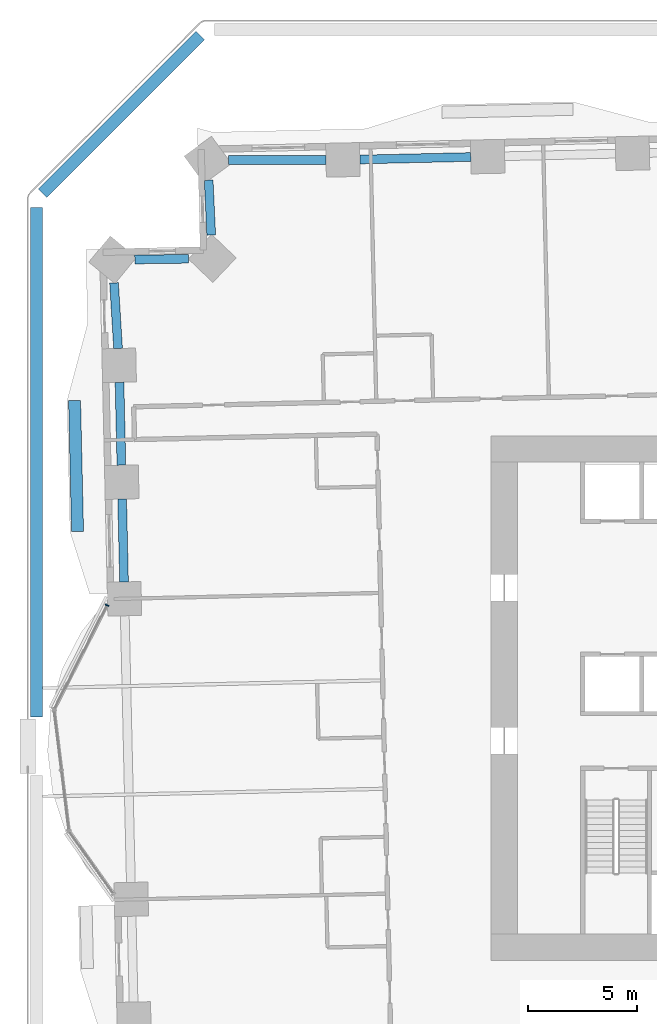
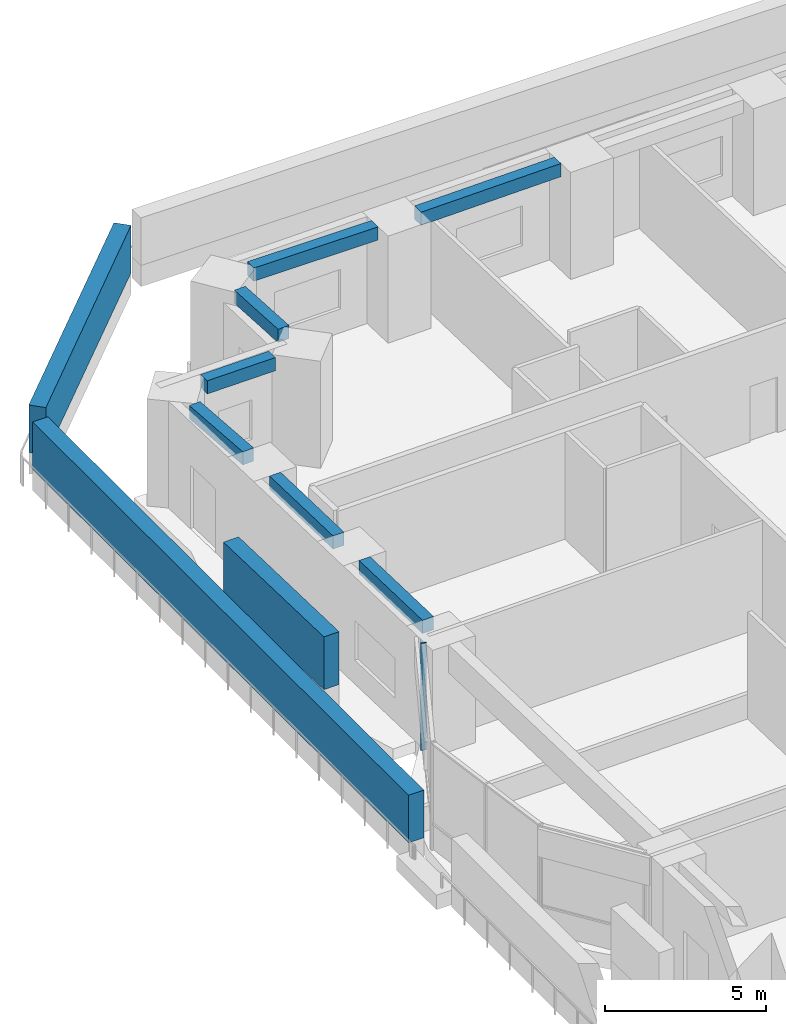
# One storey, part 4 of 21: 7 beams, 4 members, 1 element without a shape of its own.
"""IFC4 building model written with IfcOpenShell, lengths in metres."""

from ifc_helpers import new_model, si_unit, direction, frame, origin, origin_2d, place, context, subcontext, project, spatial, rectangle, extrude, material, material_profile, profile_set, type_object, element, aggregate, save


model = new_model("IFC4")

# Units and contexts
model_context = context("Model", 3, precision=1e-05, world=origin(), true_north=direction((0.0, 1.0)))
body_context = subcontext(model_context, "Body", "Model", "MODEL_VIEW")
ifc_project = project(units=[si_unit("LENGTHUNIT", "METRE"), si_unit("AREAUNIT", "SQUARE_METRE"), si_unit("VOLUMEUNIT", "CUBIC_METRE"), si_unit("PLANEANGLEUNIT", "RADIAN"), si_unit("MASSUNIT", "GRAM", prefix="KILO")], contexts=[model_context])

# Site, building, storey
site_placement = place(None, origin())
site = spatial("IfcSite", under=ifc_project, at=site_placement, CompositionType="ELEMENT")
building_placement = place(site_placement, origin())
building = spatial("IfcBuilding", under=site, at=building_placement, Name="Mangrove Gate Tower", CompositionType="ELEMENT")
storey_placement = place(building_placement, frame((0.0, 0.0, 29.5)))
storey = spatial("IfcBuildingStorey", under=building, at=storey_placement, Name="L06", CompositionType="ELEMENT", Elevation=29.5)

# Member
ifc_material_1 = material(Name="Planting on aluminium trellis", Category="aluminium")
ifc_material_profile_1 = material_profile(ifc_material_1, rectangle(XDim=0.550048828125, YDim=2.0, at=origin_2d()))
ifc_profile_set_1 = profile_set([ifc_material_profile_1], Name="Planting on aluminium trellis")
member_type_1 = type_object("IfcMemberType", Name="Balcony greenery screen 550x2000", PredefinedType="USERDEFINED", material=ifc_profile_set_1)
member_1_placement = place(storey_placement, frame((-33.91796875, 7.6201171875, 1.800048828125), z_axis=(-0.022666865795, 0.999743073592, 0.0), x_axis=(-0.999743073592, -0.022666865795, 0.0)))
element("IfcMember", 1, at=member_1_placement, inside=storey, type_object=member_type_1, Name="GREEN SCREEN L06 W0.1", ObjectType="PLANTING", PredefinedType="USERDEFINED", context=body_context, shape_type="SweptSolid", body=[
    extrude(rectangle(XDim=0.550048828125, YDim=2.0, at=origin_2d()), origin(), (0.0, 0.0, 1.0), 5.999267578125),
])

# Beams
ifc_material_2 = material(Name="Concrete C50/60", Category="concrete")
ifc_material_profile_2 = material_profile(ifc_material_2, rectangle(XDim=0.39990234375, YDim=0.5, at=origin_2d()))
ifc_profile_set_2 = profile_set([ifc_material_profile_2], Name="Concrete C50/60")
beam_type = type_object("IfcBeamType", Name="Edge beam RC 400x500 C50/60", PredefinedType="BEAM", material=ifc_profile_set_2)
beam_1_placement = place(storey_placement, frame((-15.92822265625, 24.756591796875, 3.800048828125), z_axis=(-0.999744337953, -0.022611031175, 0.0), x_axis=(0.022611031175, -0.999744337953, 0.0)))
element("IfcBeam", 2, at=beam_1_placement, inside=storey, type_object=beam_type, Name="Edge beam L06 29", PredefinedType="BEAM", context=body_context, shape_type="SweptSolid", body=[
    extrude(rectangle(XDim=0.39990234375, YDim=0.5, at=origin_2d()), origin(), (0.0, 0.0, 1.0), 5.07470703125),
])
beam_2_placement = place(storey_placement, frame((-22.5517578125, 24.6240234375, 3.800048828125), z_axis=(-0.999999962379, -0.000274303259, 0.0), x_axis=(0.000274303259, -0.999999962379, 0.0)))
element("IfcBeam", 3, at=beam_2_placement, inside=storey, type_object=beam_type, Name="Edge beam L06 30", PredefinedType="BEAM", context=body_context, shape_type="SweptSolid", body=[
    extrude(rectangle(XDim=0.39990234375, YDim=0.5, at=origin_2d()), origin(), (0.0, 0.0, 1.0), 4.4501953125),
])
beam_3_placement = place(storey_placement, frame((-27.91796875, 23.69482421875, 3.800048828125), z_axis=(0.046152499046, -0.99893440567, 0.0), x_axis=(0.99893440567, 0.046152499046, 0.0)))
element("IfcBeam", 4, at=beam_3_placement, inside=storey, type_object=beam_type, Name="Edge beam L06 31", PredefinedType="BEAM", context=body_context, shape_type="SweptSolid", body=[
    extrude(rectangle(XDim=0.39990234375, YDim=0.5, at=origin_2d()), origin(), (0.0, 0.0, 1.0), 2.5126953125),
])
beam_4_placement = place(storey_placement, frame((-28.838623046875, 20.099853515625, 3.800048828125), z_axis=(-0.999908940349, -0.013494851234, 0.0), x_axis=(0.013494851234, -0.999908940349, 0.0)))
element("IfcBeam", 5, at=beam_4_placement, inside=storey, type_object=beam_type, Name="Edge beam L06 32", PredefinedType="BEAM", context=body_context, shape_type="SweptSolid", body=[
    extrude(rectangle(XDim=0.39990234375, YDim=0.5, at=origin_2d()), origin(), (0.0, 0.0, 1.0), 2.46044921875),
])
beam_5_placement = place(storey_placement, frame((-32.248046875, 18.995849609375, 3.800048828125), z_axis=(0.061589140579, -0.998101586895, 0.0), x_axis=(0.998101586895, 0.061589140579, 0.0)))
element("IfcBeam", 6, at=beam_5_placement, inside=storey, type_object=beam_type, Name="Edge beam L06 33", PredefinedType="BEAM", context=body_context, shape_type="SweptSolid", body=[
    extrude(rectangle(XDim=0.39990234375, YDim=0.5, at=origin_2d()), origin(), (0.0, 0.0, 1.0), 3.004638671875),
])
for number, where, z_axis, x_axis, name in (
    (7, (-31.99755859375, 14.44775390625, 3.800048828125), (0.022602919614, -0.999744521378, 0.0), (0.999744521378, 0.022602919614, 0.0), "Edge beam L06 34"),
    (8, (-31.876708984375, 9.107666015625, 3.800048828125), (0.022667282356, -0.999743064147, 0.0), (0.999743064147, 0.022667282356, 0.0), "Edge beam L06 35"),
):
    element("IfcBeam", number, at=place(storey_placement, frame(where, z_axis=z_axis, x_axis=x_axis)), inside=storey, type_object=beam_type, Name=name, PredefinedType="BEAM", context=body_context, shape_type="SweptSolid", body=[
        extrude(rectangle(XDim=0.39990234375, YDim=0.5, at=origin_2d()), origin(), (0.0, 0.0, 1.0), 3.791259765625),
    ])

# Members
ifc_material_3 = material(Name="Planting on aluminium trellis", Category="aluminium")
ifc_material_profile_3 = material_profile(ifc_material_3, rectangle(XDim=0.550048828125, YDim=1.800048828125, at=origin_2d()))
ifc_profile_set_3 = profile_set([ifc_material_profile_3], Name="Planting on aluminium trellis")
member_type_2 = type_object("IfcMemberType", Name="Roof greenery screen 550x1800", PredefinedType="USERDEFINED", material=ifc_profile_set_3)
member_2_placement = place(storey_placement, frame((-35.784912109375, -0.863037109375, 1.699951171875), z_axis=(0.0, 1.0, 0.0), x_axis=(-1.0, 0.0, 0.0)))
element("IfcMember", 9, at=member_2_placement, inside=storey, type_object=member_type_2, Name="GREEN SCREEN L06 T2.1.6", ObjectType="PLANTING", PredefinedType="USERDEFINED", context=body_context, shape_type="SweptSolid", body=[
    extrude(rectangle(XDim=0.550048828125, YDim=1.800048828125, at=origin_2d()), origin(), (0.0, 0.0, 1.0), 23.30615234375),
])
member_3_placement = place(storey_placement, frame((-35.512939453125, 23.10009765625, 1.699951171875), z_axis=(0.707106781187, 0.707106781187, 0.0), x_axis=(-0.707106781187, 0.707106781187, 0.0)))
element("IfcMember", 10, at=member_3_placement, inside=storey, type_object=member_type_2, Name="GREEN SCREEN L06 T2.1.15", ObjectType="PLANTING", PredefinedType="USERDEFINED", context=body_context, shape_type="SweptSolid", body=[
    extrude(rectangle(XDim=0.550048828125, YDim=1.800048828125, at=origin_2d()), origin(), (0.0, 0.0, 1.0), 10.20068359375),
])

# Curtain wall, member
ifc_material_4 = material(Name="Aluminium and glass curtain wall", Category="aluminium")
curtain_wall_type = type_object("IfcCurtainWallType", Name="Sky-lounge glazing wall", PredefinedType="NOTDEFINED", material=ifc_material_4)
curtain_wall_placement = place(storey_placement, origin())
curtain_wall = element("IfcCurtainWall", 11, at=curtain_wall_placement, inside=storey, type_object=curtain_wall_type, Name="Sky-lounge glazing W9f1", PredefinedType="NOTDEFINED")
ifc_material_5 = material(Name="Aluminium alloy 6063-T6", Category="aluminium")
ifc_material_profile_4 = material_profile(ifc_material_5, rectangle(XDim=0.06005859375, YDim=0.179931640625, at=origin_2d()))
ifc_profile_set_4 = profile_set([ifc_material_profile_4], Name="Aluminium alloy 6063-T6")
member_type_3 = type_object("IfcMemberType", Name="Sky-lounge glazing mullion 60x180", PredefinedType="MULLION", material=ifc_profile_set_4)
member_4_placement = place(storey_placement, frame((-32.56591796875, 4.252685546875, 0.0), z_axis=(0.0, 0.0, 1.0), x_axis=(-0.452600221433, -0.8917135412, 0.0)))
member_4 = element("IfcMember", 12, at=member_4_placement, type_object=member_type_3, Name="CWK mullion 1", PredefinedType="MULLION", context=body_context, shape_type="SweptSolid", body=[
    extrude(rectangle(XDim=0.06005859375, YDim=0.179931640625, at=origin_2d()), origin(), (0.0, 0.0, 1.0), 4.050048828125),
])
aggregate(curtain_wall, [member_4])

save(model, "model.ifc")
